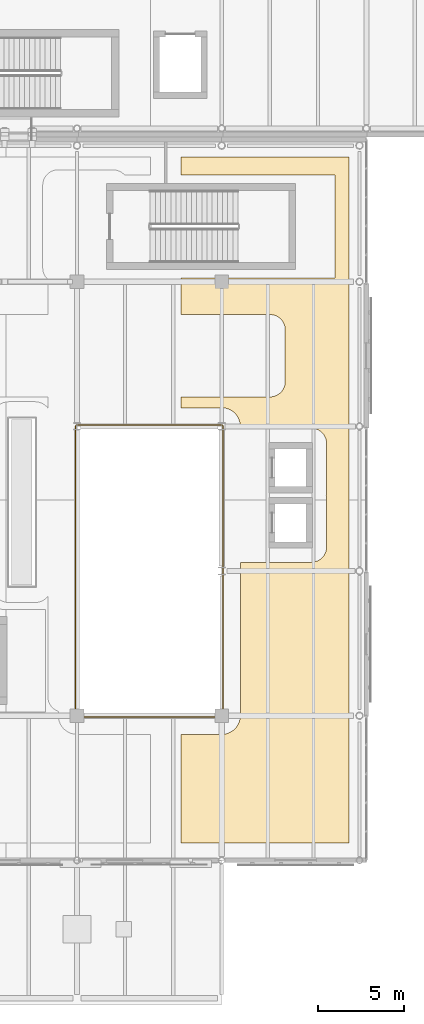
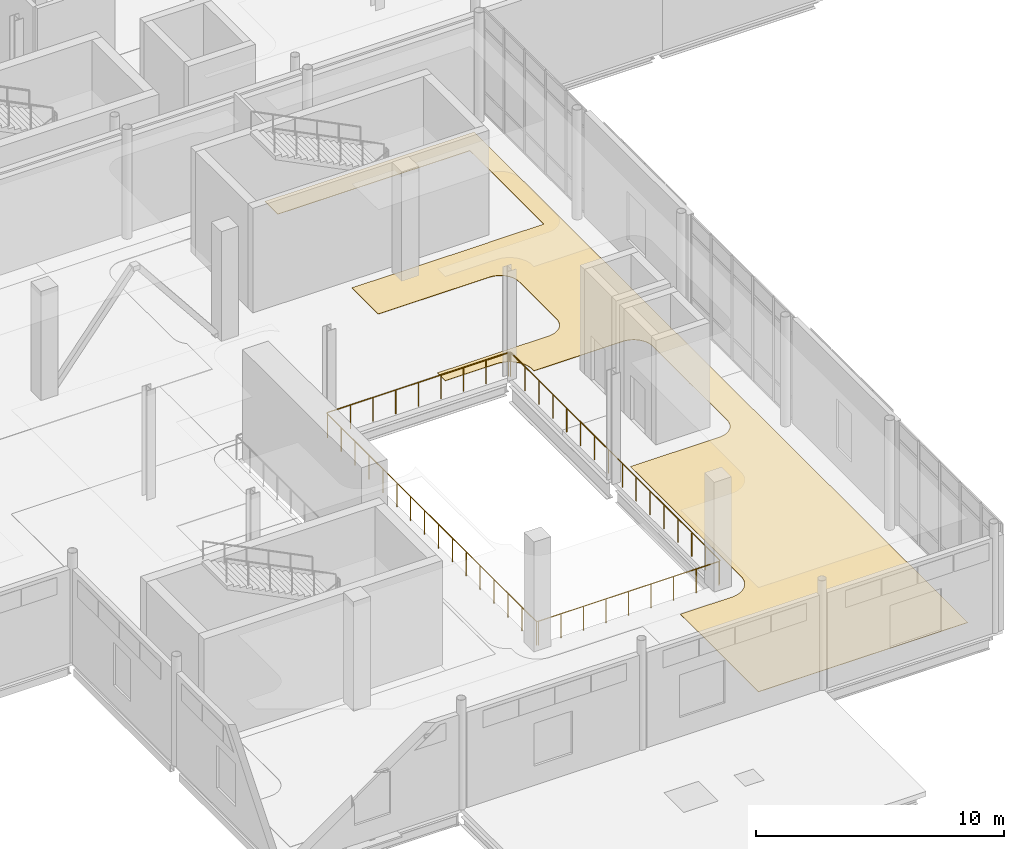
# One storey, part 105 of 110: 1 covering, 1 railing.
"""IFC4 building model written with IfcOpenShell, lengths in metres."""

import ifcopenshell
import ifcopenshell.guid

model = None  # the IFC model being written
_history = None  # IfcOwnerHistory: only IFC2X3 demands one
_inside = {}  # id of a spatial element -> (the spatial element, [elements in it])
_under = {}  # id of a project, library or spatial element -> (it, [spatial elements below it])
_declared = {}  # id of a project -> (the project, [libraries it declares])
_typed = {}  # id of a type object -> (the type object, [elements of that type])
_made_of = {}  # id of a material, layer set ... -> (it, [elements and type objects made of it])


def new_model(schema):
    """Start an empty IFC model of exactly this schema.

    Asked for "IFC4X3", IfcOpenShell would pick the latest addendum, in which some entities
    have other attributes; the version numbers below select the first issue.
    IFC2X3 requires an IfcOwnerHistory on every rooted entity: one is made here for all.
    """
    global model, _history
    if schema == "IFC4X3":
        model = ifcopenshell.file(schema_version=(4, 3, 0, 0))
    else:
        model = ifcopenshell.file(schema=schema)
    _inside.clear()
    _under.clear()
    _declared.clear()
    _typed.clear()
    _made_of.clear()
    _history = None
    if model.schema == "IFC2X3":
        org = make("IfcOrganization", Name="unknown")
        user = make(
            "IfcPersonAndOrganization",
            ThePerson=make("IfcPerson", FamilyName="unknown"),
            TheOrganization=org,
        )
        app = make(
            "IfcApplication",
            ApplicationDeveloper=org,
            Version="unknown",
            ApplicationFullName="unknown",
            ApplicationIdentifier="unknown",
        )
        _history = make(
            "IfcOwnerHistory",
            OwningUser=user,
            OwningApplication=app,
            ChangeAction="ADDED",
            CreationDate=0,
        )
    return model


def make(cls, **values):
    """One entity of the class cls with the attributes given. An attribute that is None is left unset."""
    return model.create_entity(
        cls, **{name: value for name, value in values.items() if value is not None}
    )


def rooted(cls, **values):
    """An entity with a GlobalId (a new one), such as an element, a storey or a relation."""
    return make(cls, GlobalId=ifcopenshell.guid.new(), OwnerHistory=_history, **values)


def si_unit(unit_type, name, prefix=None):
    """IfcSIUnit, for example si_unit("LENGTHUNIT", "METRE", prefix="MILLI")."""
    return make("IfcSIUnit", UnitType=unit_type, Prefix=prefix, Name=name)


def assignment(units):
    """IfcUnitAssignment: the units of a project."""
    return None if units is None else make("IfcUnitAssignment", Units=units)


def point(xyz):
    """IfcCartesianPoint."""
    return None if xyz is None else make("IfcCartesianPoint", Coordinates=xyz)


def direction(xyz):
    """IfcDirection."""
    return None if xyz is None else make("IfcDirection", DirectionRatios=xyz)


def frame(location, z_axis=None, x_axis=None):
    """IfcAxis2Placement3D, a coordinate frame: its origin and axes. An axis left out is left unset."""
    return make(
        "IfcAxis2Placement3D",
        Location=point(location),
        Axis=direction(z_axis),
        RefDirection=direction(x_axis),
    )


def frame_2d(location, x_axis=None):
    """IfcAxis2Placement2D, a coordinate frame in the plane: its origin and x axis."""
    return make(
        "IfcAxis2Placement2D", Location=point(location), RefDirection=direction(x_axis)
    )


def origin():
    """The frame at (0, 0, 0) with its axes left unset."""
    return frame((0.0, 0.0, 0.0))


def origin_2d():
    """The frame at (0, 0) in the plane with its x axis left unset."""
    return frame_2d((0.0, 0.0))


def place(relative_to, where):
    """IfcLocalPlacement: puts the frame where relative to a parent placement (None: the world)."""
    return make(
        "IfcLocalPlacement", PlacementRelTo=relative_to, RelativePlacement=where
    )


def context(
    kind, dimensions, precision=None, world=None, true_north=None, identifier=None
):
    """IfcGeometricRepresentationContext, for example the 3D "Model" context."""
    return make(
        "IfcGeometricRepresentationContext",
        ContextIdentifier=identifier,
        ContextType=kind,
        CoordinateSpaceDimension=dimensions,
        Precision=precision,
        WorldCoordinateSystem=world,
        TrueNorth=true_north,
    )


def subcontext(parent, identifier, kind, view, scale=None):
    """IfcGeometricRepresentationSubContext, for example "Body" below "Model"."""
    return make(
        "IfcGeometricRepresentationSubContext",
        ContextIdentifier=identifier,
        ContextType=kind,
        ParentContext=parent,
        TargetScale=scale,
        TargetView=view,
    )


def project(units=None, contexts=None):
    """IfcProject with its units and contexts."""
    return rooted(
        "IfcProject",
        Name="project",
        RepresentationContexts=contexts,
        UnitsInContext=assignment(units),
    )


def spatial(cls, under=None, at=None, **own):
    """A site, building, storey or space (cls), placed at a placement, below another one or the project."""
    s = rooted(cls, ObjectPlacement=at, **own)
    if under is not None:
        _under.setdefault(under.id(), (under, []))[1].append(s)
    return s


def polyline(points):
    """IfcPolyline through the points."""
    return make("IfcPolyline", Points=[point(p) for p in points])


def profile(cls, at=None, kind="AREA", **sizes):
    """A parametric profile (cls). Its sizes go by their IFC names, for example OverallWidth=200.0."""
    return make(cls, ProfileType=kind, Position=at, **sizes)


def circle(**sizes):
    """IfcCircleProfileDef."""
    return profile("IfcCircleProfileDef", **sizes)


def outline(outer, holes=None, kind="AREA"):
    """IfcArbitraryClosedProfileDef: a profile drawn as a closed curve; with holes, ...WithVoids."""
    if holes is None:
        return make("IfcArbitraryClosedProfileDef", ProfileType=kind, OuterCurve=outer)
    return make(
        "IfcArbitraryProfileDefWithVoids",
        ProfileType=kind,
        OuterCurve=outer,
        InnerCurves=holes,
    )


def extrude(swept, where, along, depth):
    """IfcExtrudedAreaSolid: the profile swept, set in the frame where, extruded along a direction by depth."""
    return make(
        "IfcExtrudedAreaSolid",
        SweptArea=swept,
        Position=where,
        ExtrudedDirection=direction(along),
        Depth=depth,
    )


def shape(context_of_items, identifier, shape_type, items):
    """IfcShapeRepresentation: the items that make up one representation, for example the "Body"."""
    return make(
        "IfcShapeRepresentation",
        ContextOfItems=context_of_items,
        RepresentationIdentifier=identifier,
        RepresentationType=shape_type,
        Items=items,
    )


def material(Name=None, Category=None):
    """IfcMaterial."""
    return make("IfcMaterial", Name=Name, Category=Category)


def layer(
    of_material, thickness, ventilated=None, Name=None, Category=None, Priority=None
):
    """IfcMaterialLayer: one layer of a wall or slab, of a material (None: an air gap)."""
    return make(
        "IfcMaterialLayer",
        Material=of_material,
        LayerThickness=thickness,
        IsVentilated=ventilated,
        Name=Name,
        Category=Category,
        Priority=Priority,
    )


def layer_set(layers, Name=None):
    """IfcMaterialLayerSet."""
    return make("IfcMaterialLayerSet", MaterialLayers=layers, LayerSetName=Name)


def made_of(thing, what):
    """Note that an element or type object is made of a material, layer set ...; save() writes the relation."""
    if what is not None:
        _made_of.setdefault(what.id(), (what, []))[1].append(thing)
    return thing


def type_object(cls, material=None, **own):
    """A type object (cls), such as IfcWallType, which elements share."""
    return made_of(rooted(cls, **own), material)


def element(
    cls,
    number,
    at=None,
    inside=None,
    cuts=None,
    type_object=None,
    material=None,
    context=None,
    identifier="Body",
    shape_type=None,
    held_by="IfcProductDefinitionShape",
    body=None,
    shapes=None,
    **own,
):
    """One element of the class cls, such as IfcWall. Its Tag is "e" and its number.

    at: its placement. inside: the storey or other place that contains it. cuts: it is an
    opening in that element (IfcRelVoidsElement). A single representation is given by context,
    identifier, shape_type and body (its items); several are given by shapes. held_by: the class
    of the entity that holds the representations. save() writes the other relations.
    """
    e = rooted(cls, Tag="e%d" % number, ObjectPlacement=at, **own)
    if body is not None:
        shapes = [shape(context, identifier, shape_type, body)]
    if shapes is not None:
        e.Representation = make(held_by, Representations=shapes)
    if inside is not None:
        _inside.setdefault(inside.id(), (inside, []))[1].append(e)
    if cuts is not None:
        rooted(
            "IfcRelVoidsElement", RelatingBuildingElement=cuts, RelatedOpeningElement=e
        )
    if type_object is not None:
        _typed.setdefault(type_object.id(), (type_object, []))[1].append(e)
    return made_of(e, material)


def aggregate(whole, parts):
    """IfcRelAggregates: a whole, such as a stair, and the parts it consists of."""
    return rooted("IfcRelAggregates", RelatingObject=whole, RelatedObjects=parts)


def save(model, path):
    """Write the relations noted so far, then the file.

    IfcRelAggregates (storeys below a building ...), IfcRelContainedInSpatialStructure (elements
    in a storey), IfcRelDefinesByType, IfcRelAssociatesMaterial and IfcRelDeclares: one each for
    every whole, place, type object, material and project.
    """
    for whole, parts in _under.values():
        aggregate(whole, parts)
    for where, things in _inside.values():
        rooted(
            "IfcRelContainedInSpatialStructure",
            RelatedElements=things,
            RelatingStructure=where,
        )
    for kind, things in _typed.values():
        rooted("IfcRelDefinesByType", RelatedObjects=things, RelatingType=kind)
    for what, things in _made_of.values():
        rooted("IfcRelAssociatesMaterial", RelatedObjects=things, RelatingMaterial=what)
    for by, libraries in _declared.values():
        rooted("IfcRelDeclares", RelatingContext=by, RelatedDefinitions=libraries)
    model.write(path)


model = new_model("IFC4")

# Units and contexts
model_context = context("Model", 3, precision=1e-05, world=origin(), true_north=direction((0.0, 1.0)))
body_context = subcontext(model_context, "Body", "Model", "MODEL_VIEW")
ifc_project = project(units=[si_unit("LENGTHUNIT", "METRE"), si_unit("AREAUNIT", "SQUARE_METRE"), si_unit("VOLUMEUNIT", "CUBIC_METRE"), si_unit("PLANEANGLEUNIT", "RADIAN"), si_unit("MASSUNIT", "GRAM", prefix="KILO"), si_unit("THERMODYNAMICTEMPERATUREUNIT", "KELVIN")], contexts=[model_context])

# Site, building, storey
site_placement = place(None, origin())
site = spatial("IfcSite", under=ifc_project, at=site_placement, CompositionType="ELEMENT")
building_placement = place(site_placement, origin())
building = spatial("IfcBuilding", under=site, at=building_placement, Name="Lustrewick Department Store", CompositionType="ELEMENT")
storey_placement = place(building_placement, frame((0.0, 0.0, 6.0)))
storey = spatial("IfcBuildingStorey", under=building, at=storey_placement, Name="L02", CompositionType="ELEMENT", Elevation=6.0)

# Covering
ifc_material_1 = material(Name="Polished terrazzo and porcelain floor finish", Category="masonry")
ifc_layer = layer(ifc_material_1, 0.02001953125, Name="Polished terrazzo and porcelain floor finish")
ifc_layer_set = layer_set([ifc_layer], Name="Polished terrazzo and porcelain floor finish")
covering_type = type_object("IfcCoveringType", Name="COV-FLR", PredefinedType="FLOORING", material=ifc_layer_set)
covering_placement = place(storey_placement, origin())
element("IfcCovering", 1, at=covering_placement, inside=storey, type_object=covering_type, Name="L02 Commercial Restaurant Kitchen Terrazzo Flooring", PredefinedType="FLOORING", context=body_context, shape_type="SweptSolid", body=[
    extrude(outline(polyline([(140.438232421875, 15.719970703125), (140.438232421875, 9.419921875), (150.179931640625, 9.419921875), (150.179931640625, 49.22998046875), (140.438232421875, 49.22998046875), (140.438232421875, 48.18994140625), (146.702880859375, 48.18994140625), (146.78759765625, 48.185791015625), (146.82666015625, 48.179931640625), (149.3798828125, 48.179931640625), (149.3798828125, 42.219970703125), (146.82666015625, 42.219970703125), (146.78759765625, 42.214111328125), (146.702880859375, 42.2099609375), (140.438232421875, 42.2099609375), (140.438232421875, 40.090087890625), (145.60302734375, 40.090087890625), (145.687744140625, 40.085693359375), (145.771484375, 40.0732421875), (145.77490234375, 40.072509765625), (145.79248046875, 40.06884765625), (145.795654296875, 40.068115234375), (145.87841796875, 40.04541015625), (145.95849609375, 40.0146484375), (145.961181640625, 40.013427734375), (145.963623046875, 40.01220703125), (146.030517578125, 39.97900390625), (146.034423828125, 39.976806640625), (146.095947265625, 39.939208984375), (146.154052734375, 39.896484375), (146.15869140625, 39.892822265625), (146.2294921875, 39.829345703125), (146.29296875, 39.758544921875), (146.29638671875, 39.75390625), (146.339111328125, 39.69580078125), (146.376708984375, 39.634521484375), (146.37890625, 39.630615234375), (146.412109375, 39.563720703125), (146.41455078125, 39.55859375), (146.445556640625, 39.478515625), (146.46826171875, 39.395751953125), (146.468994140625, 39.392578125), (146.47265625, 39.375), (146.473388671875, 39.37158203125), (146.48583984375, 39.28759765625), (146.489990234375, 39.202880859375), (146.489990234375, 36.197021484375), (146.48583984375, 36.1123046875), (146.473388671875, 36.0283203125), (146.47265625, 36.02490234375), (146.468994140625, 36.007568359375), (146.46826171875, 36.00439453125), (146.445556640625, 35.92138671875), (146.41455078125, 35.841552734375), (146.412109375, 35.836181640625), (146.37890625, 35.76953125), (146.376708984375, 35.765625), (146.339111328125, 35.7041015625), (146.29638671875, 35.64599609375), (146.29296875, 35.641357421875), (146.2294921875, 35.570556640625), (146.15869140625, 35.507080078125), (146.154052734375, 35.50341796875), (146.095947265625, 35.4609375), (146.034423828125, 35.42333984375), (146.030517578125, 35.421142578125), (145.963623046875, 35.3876953125), (145.95849609375, 35.385498046875), (145.87841796875, 35.3544921875), (145.795654296875, 35.331787109375), (145.79248046875, 35.3310546875), (145.77490234375, 35.327392578125), (145.771484375, 35.32666015625), (145.687744140625, 35.314208984375), (145.60302734375, 35.31005859375), (140.438232421875, 35.31005859375), (140.438232421875, 34.679931640625), (142.801025390625, 34.679931640625), (142.84375, 34.678955078125), (142.8662109375, 34.677734375), (142.943603515625, 34.670166015625), (142.966796875, 34.6669921875), (143.051513671875, 34.650146484375), (143.074462890625, 34.644287109375), (143.1533203125, 34.620361328125), (143.17529296875, 34.612548828125), (143.250244140625, 34.58154296875), (143.271728515625, 34.5712890625), (143.345947265625, 34.531494140625), (143.3662109375, 34.51953125), (143.43310546875, 34.474609375), (143.4521484375, 34.460693359375), (143.517822265625, 34.40673828125), (143.53515625, 34.390869140625), (143.5908203125, 34.335205078125), (143.606689453125, 34.31787109375), (143.66064453125, 34.252197265625), (143.6748046875, 34.233154296875), (143.719482421875, 34.166259765625), (143.731689453125, 34.14599609375), (143.771484375, 34.07177734375), (143.781494140625, 34.05029296875), (143.8125, 33.975341796875), (143.8203125, 33.953369140625), (143.844482421875, 33.87451171875), (143.85009765625, 33.8515625), (143.866943359375, 33.7666015625), (143.8701171875, 33.743408203125), (143.877685546875, 33.666259765625), (143.87890625, 33.643798828125), (143.8798828125, 33.60107421875), (143.8798828125, 33.489990234375), (148.0029296875, 33.489990234375), (148.087646484375, 33.48583984375), (148.171630859375, 33.473388671875), (148.175048828125, 33.47265625), (148.1923828125, 33.468994140625), (148.19580078125, 33.46826171875), (148.278564453125, 33.445556640625), (148.3583984375, 33.41455078125), (148.36376953125, 33.412109375), (148.430419921875, 33.37890625), (148.434326171875, 33.376708984375), (148.495849609375, 33.339111328125), (148.553955078125, 33.29638671875), (148.55859375, 33.29296875), (148.62939453125, 33.2294921875), (148.69287109375, 33.15869140625), (148.696533203125, 33.154052734375), (148.739013671875, 33.095947265625), (148.776611328125, 33.034423828125), (148.77880859375, 33.030517578125), (148.812255859375, 32.963623046875), (148.814697265625, 32.95849609375), (148.845458984375, 32.87841796875), (148.8681640625, 32.795654296875), (148.868896484375, 32.79248046875), (148.87255859375, 32.77490234375), (148.873291015625, 32.771484375), (148.8857421875, 32.687744140625), (148.889892578125, 32.60302734375), (148.889892578125, 29.797119140625), (148.8857421875, 29.71240234375), (148.873291015625, 29.62841796875), (148.87255859375, 29.625), (148.868896484375, 29.607421875), (148.8681640625, 29.604248046875), (148.866943359375, 29.60009765625), (148.8681640625, 29.595703125), (148.868896484375, 29.592529296875), (148.87255859375, 29.574951171875), (148.873291015625, 29.571533203125), (148.8857421875, 29.48779296875), (148.889892578125, 29.403076171875), (148.889892578125, 26.596923828125), (148.8857421875, 26.51220703125), (148.873291015625, 26.428466796875), (148.87255859375, 26.425048828125), (148.868896484375, 26.407470703125), (148.8681640625, 26.404296875), (148.845458984375, 26.321533203125), (148.814697265625, 26.241455078125), (148.812255859375, 26.236328125), (148.77880859375, 26.16943359375), (148.776611328125, 26.16552734375), (148.739013671875, 26.10400390625), (148.696533203125, 26.0458984375), (148.69287109375, 26.04150390625), (148.62939453125, 25.970703125), (148.55859375, 25.906982421875), (148.553955078125, 25.903564453125), (148.495849609375, 25.86083984375), (148.434326171875, 25.8232421875), (148.430419921875, 25.821044921875), (148.36376953125, 25.787841796875), (148.3583984375, 25.785400390625), (148.278564453125, 25.75439453125), (148.19580078125, 25.731689453125), (148.1923828125, 25.731201171875), (148.175048828125, 25.727294921875), (148.171630859375, 25.726806640625), (148.087646484375, 25.714111328125), (148.0029296875, 25.7099609375), (143.8798828125, 25.7099609375), (143.8798828125, 16.799072265625), (143.87890625, 16.756103515625), (143.877685546875, 16.733642578125), (143.8701171875, 16.656494140625), (143.866943359375, 16.63330078125), (143.85009765625, 16.548583984375), (143.844482421875, 16.525390625), (143.8203125, 16.446533203125), (143.8125, 16.424560546875), (143.781494140625, 16.349609375), (143.771484375, 16.328369140625), (143.731689453125, 16.25390625), (143.719482421875, 16.23388671875), (143.6748046875, 16.166748046875), (143.66064453125, 16.147705078125), (143.606689453125, 16.082275390625), (143.5908203125, 16.064697265625), (143.53515625, 16.009033203125), (143.517822265625, 15.993408203125), (143.4521484375, 15.939453125), (143.43310546875, 15.92529296875), (143.3662109375, 15.880615234375), (143.345947265625, 15.868408203125), (143.271728515625, 15.82861328125), (143.250244140625, 15.818603515625), (143.17529296875, 15.78759765625), (143.1533203125, 15.779541015625), (143.074462890625, 15.755615234375), (143.051513671875, 15.749755859375), (142.966796875, 15.733154296875), (142.943603515625, 15.729736328125), (142.8662109375, 15.72216796875), (142.84375, 15.72119140625), (142.801025390625, 15.719970703125), (140.438232421875, 15.719970703125)])), origin(), (0.0, 0.0, 1.0), 0.02001953125),
])

# Railing
ifc_material_2 = material(Name="Laminated safety glass and bronze atrium balustrade", Category="glass")
railing_type = type_object("IfcRailingType", Name="RL-BAL", PredefinedType="BALUSTRADE", material=ifc_material_2)
railing_placement = place(storey_placement, frame((142.800048828125, 16.719970703125, 0.0)))
element("IfcRailing", 2, at=railing_placement, inside=storey, type_object=railing_type, Name="L02 Food Hall Void Balustrade 0015", PredefinedType="BALUSTRADE", context=body_context, shape_type="SweptSolid", body=[
    extrude(circle(Radius=0.02392578125, at=origin_2d()), frame((0.0, 0.0, 1.17578125), z_axis=(-1.0, 0.0, 0.0), x_axis=(0.0, -1.0, 0.0)), (0.0, 0.0, 1.0), 8.400146484375),
    extrude(circle(Radius=0.02392578125, at=origin_2d()), frame((-8.400146484375, 0.0, 1.17578125), z_axis=(-0.998052578483, 0.062378286155, 0.0), x_axis=(-0.062378286155, -0.998052578483, 0.0)), (0.0, 0.0, 1.0), 0.0078125),
    extrude(circle(Radius=0.02392578125, at=origin_2d()), frame((-8.407958984375, 0.00048828125, 1.17578125), z_axis=(-0.991777866634, 0.12797133763, 0.0), x_axis=(-0.12797133763, -0.991777866634, 0.0)), (0.0, 0.0, 1.0), 0.007568359375),
    extrude(circle(Radius=0.02392578125, at=origin_2d()), frame((-8.41552734375, 0.00146484375, 1.17578125), z_axis=(-0.970142500145, 0.242535625036, 0.0), x_axis=(-0.242535625036, -0.970142500145, 0.0)), (0.0, 0.0, 1.0), 0.008056640625),
    extrude(circle(Radius=0.02392578125, at=origin_2d()), frame((-8.42333984375, 0.00341796875, 1.17578125), z_axis=(-0.938876315887, 0.344254649158, 0.0), x_axis=(-0.344254649158, -0.938876315887, 0.0)), (0.0, 0.0, 1.0), 0.0078125),
    extrude(circle(Radius=0.02392578125, at=origin_2d()), frame((-8.4306640625, 0.006103515625, 1.17578125), z_axis=(-0.900551636365, 0.434749065831, 0.0), x_axis=(-0.434749065831, -0.900551636365, 0.0)), (0.0, 0.0, 1.0), 0.0078125),
    extrude(circle(Radius=0.02392578125, at=origin_2d()), frame((-8.437744140625, 0.009521484375, 1.17578125), z_axis=(-0.860291533634, 0.509802390302, 0.0), x_axis=(-0.509802390302, -0.860291533634, 0.0)), (0.0, 0.0, 1.0), 0.007568359375),
    extrude(circle(Radius=0.02392578125, at=origin_2d()), frame((-8.4443359375, 0.013427734375, 1.17578125), z_axis=(-0.803557193345, 0.595227550626, 0.0), x_axis=(-0.595227550626, -0.803557193345, 0.0)), (0.0, 0.0, 1.0), 0.00830078125),
    extrude(circle(Radius=0.02392578125, at=origin_2d()), frame((-8.450927734375, 0.018310546875, 1.17578125), z_axis=(-0.738485493928, 0.674269364021, 0.0), x_axis=(-0.674269364021, -0.738485493928, 0.0)), (0.0, 0.0, 1.0), 0.007568359375),
    extrude(circle(Radius=0.02392578125, at=origin_2d()), frame((-8.45654296875, 0.0234375, 1.17578125), z_axis=(-0.675724628517, 0.737154140201, 0.0), x_axis=(-0.737154140201, -0.675724628517, 0.0)), (0.0, 0.0, 1.0), 0.008056640625),
    extrude(circle(Radius=0.02392578125, at=origin_2d()), frame((-8.4619140625, 0.029296875, 1.17578125), z_axis=(-0.590016589342, 0.807391122258, 0.0), x_axis=(-0.807391122258, -0.590016589342, 0.0)), (0.0, 0.0, 1.0), 0.0078125),
    extrude(circle(Radius=0.02392578125, at=origin_2d()), frame((-8.466552734375, 0.03564453125, 1.17578125), z_axis=(-0.532813269686, 0.84623284009, 0.0), x_axis=(-0.84623284009, -0.532813269686, 0.0)), (0.0, 0.0, 1.0), 0.0078125),
    extrude(circle(Radius=0.02392578125, at=origin_2d()), frame((-8.470703125, 0.042236328125, 1.17578125), z_axis=(-0.409055904093, 0.912509324515, 0.0), x_axis=(-0.912509324515, -0.409055904093, 0.0)), (0.0, 0.0, 1.0), 0.0078125),
    extrude(circle(Radius=0.02392578125, at=origin_2d()), frame((-8.473876953125, 0.04931640625, 1.17578125), z_axis=(-0.334409845171, 0.942427745481, 0.0), x_axis=(-0.942427745481, -0.334409845171, 0.0)), (0.0, 0.0, 1.0), 0.008056640625),
    extrude(circle(Radius=0.02392578125, at=origin_2d()), frame((-8.4765625, 0.056884765625, 1.17578125), z_axis=(-0.249878019022, 0.968277323709, 0.0), x_axis=(-0.968277323709, -0.249878019022, 0.0)), (0.0, 0.0, 1.0), 0.0078125),
    extrude(circle(Radius=0.02392578125, at=origin_2d()), frame((-8.478515625, 0.064453125, 1.17578125), z_axis=(-0.154376880274, 0.988012033751, 0.0), x_axis=(-0.988012033751, -0.154376880274, 0.0)), (0.0, 0.0, 1.0), 0.0078125),
    extrude(circle(Radius=0.02392578125, at=origin_2d()), frame((-8.479736328125, 0.072265625, 1.17578125), z_axis=(-0.031234752378, 0.999512076087, 0.0), x_axis=(-0.999512076087, -0.031234752378, 0.0)), (0.0, 0.0, 1.0), 0.0078125),
    extrude(circle(Radius=0.02392578125, at=origin_2d()), frame((-8.47998046875, 0.080078125, 1.17578125), z_axis=(0.0, 1.0, 0.0), x_axis=(-1.0, 0.0, 0.0)), (0.0, 0.0, 1.0), 16.800048828125),
    extrude(circle(Radius=0.02392578125, at=origin_2d()), frame((-8.47998046875, 16.880126953125, 1.17578125), z_axis=(0.031234752378, 0.999512076087, 0.0), x_axis=(-0.999512076087, 0.031234752378, 0.0)), (0.0, 0.0, 1.0), 0.0078125),
    extrude(circle(Radius=0.02392578125, at=origin_2d()), frame((-8.479736328125, 16.887939453125, 1.17578125), z_axis=(0.159232438825, 0.987241120713, 0.0), x_axis=(-0.987241120713, 0.159232438825, 0.0)), (0.0, 0.0, 1.0), 0.007568359375),
    extrude(circle(Radius=0.02392578125, at=origin_2d()), frame((-8.478515625, 16.8955078125, 1.17578125), z_axis=(0.242535625036, 0.970142500145, 0.0), x_axis=(-0.970142500145, 0.242535625036, 0.0)), (0.0, 0.0, 1.0), 0.008056640625),
    extrude(circle(Radius=0.02392578125, at=origin_2d()), frame((-8.4765625, 16.9033203125, 1.17578125), z_axis=(0.344254649158, 0.938876315887, 0.0), x_axis=(-0.938876315887, 0.344254649158, 0.0)), (0.0, 0.0, 1.0), 0.0078125),
    extrude(circle(Radius=0.02392578125, at=origin_2d()), frame((-8.473876953125, 16.91064453125, 1.17578125), z_axis=(0.409055904093, 0.912509324515, 0.0), x_axis=(-0.912509324515, 0.409055904093, 0.0)), (0.0, 0.0, 1.0), 0.0078125),
    extrude(circle(Radius=0.02392578125, at=origin_2d()), frame((-8.470703125, 16.917724609375, 1.17578125), z_axis=(0.532813269686, 0.84623284009, 0.0), x_axis=(-0.84623284009, 0.532813269686, 0.0)), (0.0, 0.0, 1.0), 0.0078125),
    extrude(circle(Radius=0.02392578125, at=origin_2d()), frame((-8.466552734375, 16.92431640625, 1.17578125), z_axis=(0.575493406175, 0.817806419301, 0.0), x_axis=(-0.817806419301, 0.575493406175, 0.0)), (0.0, 0.0, 1.0), 0.008056640625),
    extrude(circle(Radius=0.02392578125, at=origin_2d()), frame((-8.4619140625, 16.930908203125, 1.17578125), z_axis=(0.691222645967, 0.722641857148, 0.0), x_axis=(-0.722641857148, 0.691222645967, 0.0)), (0.0, 0.0, 1.0), 0.0078125),
    extrude(circle(Radius=0.02392578125, at=origin_2d()), frame((-8.45654296875, 16.9365234375, 1.17578125), z_axis=(0.722641857148, 0.691222645967, 0.0), x_axis=(-0.691222645967, 0.722641857148, 0.0)), (0.0, 0.0, 1.0), 0.0078125),
    extrude(circle(Radius=0.02392578125, at=origin_2d()), frame((-8.450927734375, 16.94189453125, 1.17578125), z_axis=(0.817806419301, 0.575493406175, 0.0), x_axis=(-0.575493406175, 0.817806419301, 0.0)), (0.0, 0.0, 1.0), 0.008056640625),
    extrude(circle(Radius=0.02392578125, at=origin_2d()), frame((-8.4443359375, 16.946533203125, 1.17578125), z_axis=(0.84623284009, 0.532813269686, 0.0), x_axis=(-0.532813269686, 0.84623284009, 0.0)), (0.0, 0.0, 1.0), 0.0078125),
    extrude(circle(Radius=0.02392578125, at=origin_2d()), frame((-8.437744140625, 16.95068359375, 1.17578125), z_axis=(0.912509324515, 0.409055904093, 0.0), x_axis=(-0.409055904093, 0.912509324515, 0.0)), (0.0, 0.0, 1.0), 0.0078125),
    extrude(circle(Radius=0.02392578125, at=origin_2d()), frame((-8.4306640625, 16.953857421875, 1.17578125), z_axis=(0.938876315887, 0.344254649158, 0.0), x_axis=(-0.344254649158, 0.938876315887, 0.0)), (0.0, 0.0, 1.0), 0.0078125),
    extrude(circle(Radius=0.02392578125, at=origin_2d()), frame((-8.42333984375, 16.95654296875, 1.17578125), z_axis=(0.970142500145, 0.242535625036, 0.0), x_axis=(-0.242535625036, 0.970142500145, 0.0)), (0.0, 0.0, 1.0), 0.008056640625),
    extrude(circle(Radius=0.02392578125, at=origin_2d()), frame((-8.41552734375, 16.95849609375, 1.17578125), z_axis=(0.987241120713, 0.159232438825, 0.0), x_axis=(-0.159232438825, 0.987241120713, 0.0)), (0.0, 0.0, 1.0), 0.007568359375),
    extrude(circle(Radius=0.02392578125, at=origin_2d()), frame((-8.407958984375, 16.959716796875, 1.17578125), z_axis=(0.999512076087, 0.031234752378, 0.0), x_axis=(-0.031234752378, 0.999512076087, 0.0)), (0.0, 0.0, 1.0), 0.0078125),
    extrude(circle(Radius=0.02392578125, at=origin_2d()), frame((-8.400146484375, 16.9599609375, 1.17578125), z_axis=(1.0, 0.0, 0.0), x_axis=(0.0, 1.0, 0.0)), (0.0, 0.0, 1.0), 8.400146484375),
    extrude(circle(Radius=0.02392578125, at=origin_2d()), frame((0.0, 16.9599609375, 1.17578125), z_axis=(0.999512076087, -0.031234752378, 0.0), x_axis=(0.031234752378, 0.999512076087, 0.0)), (0.0, 0.0, 1.0), 0.0078125),
    extrude(circle(Radius=0.02392578125, at=origin_2d()), frame((0.0078125, 16.959716796875, 1.17578125), z_axis=(0.988012033751, -0.154376880274, 0.0), x_axis=(0.154376880274, 0.988012033751, 0.0)), (0.0, 0.0, 1.0), 0.0078125),
    extrude(circle(Radius=0.02392578125, at=origin_2d()), frame((0.015625, 16.95849609375, 1.17578125), z_axis=(0.968277323709, -0.249878019022, 0.0), x_axis=(0.249878019022, 0.968277323709, 0.0)), (0.0, 0.0, 1.0), 0.0078125),
    extrude(circle(Radius=0.02392578125, at=origin_2d()), frame((0.023193359375, 16.95654296875, 1.17578125), z_axis=(0.938876315887, -0.344254649158, 0.0), x_axis=(0.344254649158, 0.938876315887, 0.0)), (0.0, 0.0, 1.0), 0.0078125),
    extrude(circle(Radius=0.02392578125, at=origin_2d()), frame((0.030517578125, 16.953857421875, 1.17578125), z_axis=(0.912509324515, -0.409055904093, 0.0), x_axis=(0.409055904093, 0.912509324515, 0.0)), (0.0, 0.0, 1.0), 0.0078125),
    extrude(circle(Radius=0.02392578125, at=origin_2d()), frame((0.03759765625, 16.95068359375, 1.17578125), z_axis=(0.854787515222, -0.518978134242, 0.0), x_axis=(0.518978134242, 0.854787515222, 0.0)), (0.0, 0.0, 1.0), 0.008056640625),
    extrude(circle(Radius=0.02392578125, at=origin_2d()), frame((0.04443359375, 16.946533203125, 1.17578125), z_axis=(0.807391122258, -0.590016589342, 0.0), x_axis=(0.590016589342, 0.807391122258, 0.0)), (0.0, 0.0, 1.0), 0.0078125),
    extrude(circle(Radius=0.02392578125, at=origin_2d()), frame((0.05078125, 16.94189453125, 1.17578125), z_axis=(0.737154140201, -0.675724628517, 0.0), x_axis=(0.675724628517, 0.737154140201, 0.0)), (0.0, 0.0, 1.0), 0.008056640625),
    extrude(circle(Radius=0.02392578125, at=origin_2d()), frame((0.056640625, 16.9365234375, 1.17578125), z_axis=(0.674269364021, -0.738485493928, 0.0), x_axis=(0.738485493928, 0.674269364021, 0.0)), (0.0, 0.0, 1.0), 0.007568359375),
    extrude(circle(Radius=0.02392578125, at=origin_2d()), frame((0.061767578125, 16.930908203125, 1.17578125), z_axis=(0.575493406175, -0.817806419301, 0.0), x_axis=(0.817806419301, 0.575493406175, 0.0)), (0.0, 0.0, 1.0), 0.008056640625),
    extrude(circle(Radius=0.02392578125, at=origin_2d()), frame((0.06640625, 16.92431640625, 1.17578125), z_axis=(0.532813269686, -0.84623284009, 0.0), x_axis=(0.84623284009, 0.532813269686, 0.0)), (0.0, 0.0, 1.0), 0.0078125),
    extrude(circle(Radius=0.02392578125, at=origin_2d()), frame((0.070556640625, 16.917724609375, 1.17578125), z_axis=(0.409055904093, -0.912509324515, 0.0), x_axis=(0.912509324515, 0.409055904093, 0.0)), (0.0, 0.0, 1.0), 0.0078125),
    extrude(circle(Radius=0.02392578125, at=origin_2d()), frame((0.07373046875, 16.91064453125, 1.17578125), z_axis=(0.371390676354, -0.928476690885, 0.0), x_axis=(0.928476690885, 0.371390676354, 0.0)), (0.0, 0.0, 1.0), 0.0078125),
    extrude(circle(Radius=0.02392578125, at=origin_2d()), frame((0.07666015625, 16.9033203125, 1.17578125), z_axis=(0.213696878805, -0.976900017396, 0.0), x_axis=(0.976900017396, 0.213696878805, 0.0)), (0.0, 0.0, 1.0), 0.008056640625),
    extrude(circle(Radius=0.02392578125, at=origin_2d()), frame((0.078369140625, 16.8955078125, 1.17578125), z_axis=(0.159232438825, -0.987241120713, 0.0), x_axis=(0.987241120713, 0.159232438825, 0.0)), (0.0, 0.0, 1.0), 0.007568359375),
    extrude(circle(Radius=0.02392578125, at=origin_2d()), frame((0.07958984375, 16.887939453125, 1.17578125), z_axis=(0.031234752378, -0.999512076087, 0.0), x_axis=(0.999512076087, 0.031234752378, 0.0)), (0.0, 0.0, 1.0), 0.0078125),
    extrude(circle(Radius=0.02392578125, at=origin_2d()), frame((0.079833984375, 16.880126953125, 1.17578125), z_axis=(0.0, -1.0, 0.0), x_axis=(1.0, 0.0, 0.0)), (0.0, 0.0, 1.0), 16.800048828125),
    extrude(circle(Radius=0.02392578125, at=origin_2d()), frame((0.079833984375, 0.080078125, 1.17578125), z_axis=(-0.031234752378, -0.999512076087, 0.0), x_axis=(0.999512076087, -0.031234752378, 0.0)), (0.0, 0.0, 1.0), 0.0078125),
    extrude(circle(Radius=0.02392578125, at=origin_2d()), frame((0.07958984375, 0.072265625, 1.17578125), z_axis=(-0.154376880274, -0.988012033751, 0.0), x_axis=(0.988012033751, -0.154376880274, 0.0)), (0.0, 0.0, 1.0), 0.0078125),
    extrude(circle(Radius=0.02392578125, at=origin_2d()), frame((0.078369140625, 0.064453125, 1.17578125), z_axis=(-0.220260871435, -0.975441002068, 0.0), x_axis=(0.975441002068, -0.220260871435, 0.0)), (0.0, 0.0, 1.0), 0.0078125),
    extrude(circle(Radius=0.02392578125, at=origin_2d()), frame((0.07666015625, 0.056884765625, 1.17578125), z_axis=(-0.360994102558, -0.932568098274, 0.0), x_axis=(0.932568098274, -0.360994102558, 0.0)), (0.0, 0.0, 1.0), 0.008056640625),
    extrude(circle(Radius=0.02392578125, at=origin_2d()), frame((0.07373046875, 0.04931640625, 1.17578125), z_axis=(-0.409055904093, -0.912509324515, 0.0), x_axis=(0.912509324515, -0.409055904093, 0.0)), (0.0, 0.0, 1.0), 0.0078125),
    extrude(circle(Radius=0.02392578125, at=origin_2d()), frame((0.070556640625, 0.042236328125, 1.17578125), z_axis=(-0.532813269686, -0.84623284009, 0.0), x_axis=(0.84623284009, -0.532813269686, 0.0)), (0.0, 0.0, 1.0), 0.0078125),
    extrude(circle(Radius=0.02392578125, at=origin_2d()), frame((0.06640625, 0.03564453125, 1.17578125), z_axis=(-0.590016589342, -0.807391122258, 0.0), x_axis=(0.807391122258, -0.590016589342, 0.0)), (0.0, 0.0, 1.0), 0.0078125),
    extrude(circle(Radius=0.02392578125, at=origin_2d()), frame((0.061767578125, 0.029296875, 1.17578125), z_axis=(-0.658504607869, -0.752576694707, 0.0), x_axis=(0.752576694707, -0.658504607869, 0.0)), (0.0, 0.0, 1.0), 0.0078125),
    extrude(circle(Radius=0.02392578125, at=origin_2d()), frame((0.056640625, 0.0234375, 1.17578125), z_axis=(-0.752576694707, -0.658504607869, 0.0), x_axis=(0.658504607869, -0.752576694707, 0.0)), (0.0, 0.0, 1.0), 0.0078125),
    extrude(circle(Radius=0.02392578125, at=origin_2d()), frame((0.05078125, 0.018310546875, 1.17578125), z_axis=(-0.792623989105, -0.60971076085, 0.0), x_axis=(0.60971076085, -0.792623989105, 0.0)), (0.0, 0.0, 1.0), 0.008056640625),
    extrude(circle(Radius=0.02392578125, at=origin_2d()), frame((0.04443359375, 0.013427734375, 1.17578125), z_axis=(-0.868243142124, -0.496138938357, 0.0), x_axis=(0.496138938357, -0.868243142124, 0.0)), (0.0, 0.0, 1.0), 0.0078125),
    extrude(circle(Radius=0.02392578125, at=origin_2d()), frame((0.03759765625, 0.009521484375, 1.17578125), z_axis=(-0.900551636365, -0.434749065831, 0.0), x_axis=(0.434749065831, -0.900551636365, 0.0)), (0.0, 0.0, 1.0), 0.0078125),
    extrude(circle(Radius=0.02392578125, at=origin_2d()), frame((0.030517578125, 0.006103515625, 1.17578125), z_axis=(-0.938876315887, -0.344254649158, 0.0), x_axis=(0.344254649158, -0.938876315887, 0.0)), (0.0, 0.0, 1.0), 0.0078125),
    extrude(circle(Radius=0.02392578125, at=origin_2d()), frame((0.023193359375, 0.00341796875, 1.17578125), z_axis=(-0.968277323709, -0.249878019022, 0.0), x_axis=(0.249878019022, -0.968277323709, 0.0)), (0.0, 0.0, 1.0), 0.0078125),
    extrude(circle(Radius=0.02392578125, at=origin_2d()), frame((0.015625, 0.00146484375, 1.17578125), z_axis=(-0.992277876714, -0.124034734589, 0.0), x_axis=(0.124034734589, -0.992277876714, 0.0)), (0.0, 0.0, 1.0), 0.0078125),
    extrude(circle(Radius=0.02392578125, at=origin_2d()), frame((0.0078125, 0.00048828125, 1.17578125), z_axis=(-0.998052578483, -0.062378286155, 0.0), x_axis=(0.062378286155, -0.998052578483, 0.0)), (0.0, 0.0, 1.0), 0.0078125),
    extrude(circle(Radius=0.02099609375, at=origin_2d()), origin(), (0.0, 0.0, 1.0), 1.15185546875),
    extrude(circle(Radius=0.02099609375, at=origin_2d()), frame((-1.050048828125, 0.0, 0.0)), (0.0, 0.0, 1.0), 1.15185546875),
    extrude(circle(Radius=0.02099609375, at=origin_2d()), frame((-2.10009765625, 0.0, 0.0)), (0.0, 0.0, 1.0), 1.15185546875),
    extrude(circle(Radius=0.02099609375, at=origin_2d()), frame((-3.150146484375, 0.0, 0.0)), (0.0, 0.0, 1.0), 1.15185546875),
    extrude(circle(Radius=0.02099609375, at=origin_2d()), frame((-4.2001953125, 0.0, 0.0)), (0.0, 0.0, 1.0), 1.15185546875),
    extrude(circle(Radius=0.02099609375, at=origin_2d()), frame((-5.25, 0.0, 0.0)), (0.0, 0.0, 1.0), 1.15185546875),
    extrude(circle(Radius=0.02099609375, at=origin_2d()), frame((-6.300048828125, 0.0, 0.0)), (0.0, 0.0, 1.0), 1.15185546875),
    extrude(circle(Radius=0.02099609375, at=origin_2d()), frame((-7.35009765625, 0.0, 0.0)), (0.0, 0.0, 1.0), 1.15185546875),
    extrude(circle(Radius=0.02099609375, at=origin_2d()), frame((-8.400146484375, 0.0, 0.0)), (0.0, 0.0, 1.0), 1.15185546875),
    extrude(circle(Radius=0.02099609375, at=origin_2d()), frame((-8.470703125, 0.042236328125, 0.0)), (0.0, 0.0, 1.0), 1.15185546875),
    extrude(circle(Radius=0.02099609375, at=origin_2d()), frame((-8.47998046875, 1.2001953125, 0.0)), (0.0, 0.0, 1.0), 1.15185546875),
    extrude(circle(Radius=0.02099609375, at=origin_2d()), frame((-8.47998046875, 2.320068359375, 0.0)), (0.0, 0.0, 1.0), 1.15185546875),
    extrude(circle(Radius=0.02099609375, at=origin_2d()), frame((-8.47998046875, 3.440185546875, 0.0)), (0.0, 0.0, 1.0), 1.15185546875),
    extrude(circle(Radius=0.02099609375, at=origin_2d()), frame((-8.47998046875, 4.56005859375, 0.0)), (0.0, 0.0, 1.0), 1.15185546875),
    extrude(circle(Radius=0.02099609375, at=origin_2d()), frame((-8.47998046875, 5.68017578125, 0.0)), (0.0, 0.0, 1.0), 1.15185546875),
    extrude(circle(Radius=0.02099609375, at=origin_2d()), frame((-8.47998046875, 6.800048828125, 0.0)), (0.0, 0.0, 1.0), 1.15185546875),
    extrude(circle(Radius=0.02099609375, at=origin_2d()), frame((-8.47998046875, 7.920166015625, 0.0)), (0.0, 0.0, 1.0), 1.15185546875),
    extrude(circle(Radius=0.02099609375, at=origin_2d()), frame((-8.47998046875, 9.0400390625, 0.0)), (0.0, 0.0, 1.0), 1.15185546875),
    extrude(circle(Radius=0.02099609375, at=origin_2d()), frame((-8.47998046875, 10.16015625, 0.0)), (0.0, 0.0, 1.0), 1.15185546875),
    extrude(circle(Radius=0.02099609375, at=origin_2d()), frame((-8.47998046875, 11.280029296875, 0.0)), (0.0, 0.0, 1.0), 1.15185546875),
    extrude(circle(Radius=0.02099609375, at=origin_2d()), frame((-8.47998046875, 12.400146484375, 0.0)), (0.0, 0.0, 1.0), 1.15185546875),
    extrude(circle(Radius=0.02099609375, at=origin_2d()), frame((-8.47998046875, 13.52001953125, 0.0)), (0.0, 0.0, 1.0), 1.15185546875),
    extrude(circle(Radius=0.02099609375, at=origin_2d()), frame((-8.47998046875, 14.64013671875, 0.0)), (0.0, 0.0, 1.0), 1.15185546875),
    extrude(circle(Radius=0.02099609375, at=origin_2d()), frame((-8.47998046875, 15.760009765625, 0.0)), (0.0, 0.0, 1.0), 1.15185546875),
    extrude(circle(Radius=0.02099609375, at=origin_2d()), frame((-8.47998046875, 16.880126953125, 0.0)), (0.0, 0.0, 1.0), 1.15185546875),
    extrude(circle(Radius=0.02099609375, at=origin_2d()), frame((-8.437744140625, 16.95068359375, 0.0)), (0.0, 0.0, 1.0), 1.15185546875),
    extrude(circle(Radius=0.02099609375, at=origin_2d()), frame((-7.35009765625, 16.9599609375, 0.0)), (0.0, 0.0, 1.0), 1.15185546875),
    extrude(circle(Radius=0.02099609375, at=origin_2d()), frame((-6.300048828125, 16.9599609375, 0.0)), (0.0, 0.0, 1.0), 1.15185546875),
    extrude(circle(Radius=0.02099609375, at=origin_2d()), frame((-5.25, 16.9599609375, 0.0)), (0.0, 0.0, 1.0), 1.15185546875),
    extrude(circle(Radius=0.02099609375, at=origin_2d()), frame((-4.2001953125, 16.9599609375, 0.0)), (0.0, 0.0, 1.0), 1.15185546875),
    extrude(circle(Radius=0.02099609375, at=origin_2d()), frame((-3.150146484375, 16.9599609375, 0.0)), (0.0, 0.0, 1.0), 1.15185546875),
    extrude(circle(Radius=0.02099609375, at=origin_2d()), frame((-2.10009765625, 16.9599609375, 0.0)), (0.0, 0.0, 1.0), 1.15185546875),
    extrude(circle(Radius=0.02099609375, at=origin_2d()), frame((-1.050048828125, 16.9599609375, 0.0)), (0.0, 0.0, 1.0), 1.15185546875),
    extrude(circle(Radius=0.02099609375, at=origin_2d()), frame((0.0, 16.9599609375, 0.0)), (0.0, 0.0, 1.0), 1.15185546875),
    extrude(circle(Radius=0.02099609375, at=origin_2d()), frame((0.070556640625, 16.917724609375, 0.0)), (0.0, 0.0, 1.0), 1.15185546875),
    extrude(circle(Radius=0.02099609375, at=origin_2d()), frame((0.079833984375, 15.760009765625, 0.0)), (0.0, 0.0, 1.0), 1.15185546875),
    extrude(circle(Radius=0.02099609375, at=origin_2d()), frame((0.079833984375, 14.64013671875, 0.0)), (0.0, 0.0, 1.0), 1.15185546875),
    extrude(circle(Radius=0.02099609375, at=origin_2d()), frame((0.079833984375, 13.52001953125, 0.0)), (0.0, 0.0, 1.0), 1.15185546875),
    extrude(circle(Radius=0.02099609375, at=origin_2d()), frame((0.079833984375, 12.400146484375, 0.0)), (0.0, 0.0, 1.0), 1.15185546875),
    extrude(circle(Radius=0.02099609375, at=origin_2d()), frame((0.079833984375, 11.280029296875, 0.0)), (0.0, 0.0, 1.0), 1.15185546875),
    extrude(circle(Radius=0.02099609375, at=origin_2d()), frame((0.079833984375, 10.16015625, 0.0)), (0.0, 0.0, 1.0), 1.15185546875),
    extrude(circle(Radius=0.02099609375, at=origin_2d()), frame((0.079833984375, 9.0400390625, 0.0)), (0.0, 0.0, 1.0), 1.15185546875),
    extrude(circle(Radius=0.02099609375, at=origin_2d()), frame((0.079833984375, 7.920166015625, 0.0)), (0.0, 0.0, 1.0), 1.15185546875),
    extrude(circle(Radius=0.02099609375, at=origin_2d()), frame((0.079833984375, 6.800048828125, 0.0)), (0.0, 0.0, 1.0), 1.15185546875),
    extrude(circle(Radius=0.02099609375, at=origin_2d()), frame((0.079833984375, 5.68017578125, 0.0)), (0.0, 0.0, 1.0), 1.15185546875),
    extrude(circle(Radius=0.02099609375, at=origin_2d()), frame((0.079833984375, 4.56005859375, 0.0)), (0.0, 0.0, 1.0), 1.15185546875),
    extrude(circle(Radius=0.02099609375, at=origin_2d()), frame((0.079833984375, 3.440185546875, 0.0)), (0.0, 0.0, 1.0), 1.15185546875),
    extrude(circle(Radius=0.02099609375, at=origin_2d()), frame((0.079833984375, 2.320068359375, 0.0)), (0.0, 0.0, 1.0), 1.15185546875),
    extrude(circle(Radius=0.02099609375, at=origin_2d()), frame((0.079833984375, 1.2001953125, 0.0)), (0.0, 0.0, 1.0), 1.15185546875),
    extrude(circle(Radius=0.02099609375, at=origin_2d()), frame((0.079833984375, 0.080078125, 0.0)), (0.0, 0.0, 1.0), 1.15185546875),
])

save(model, "model.ifc")
